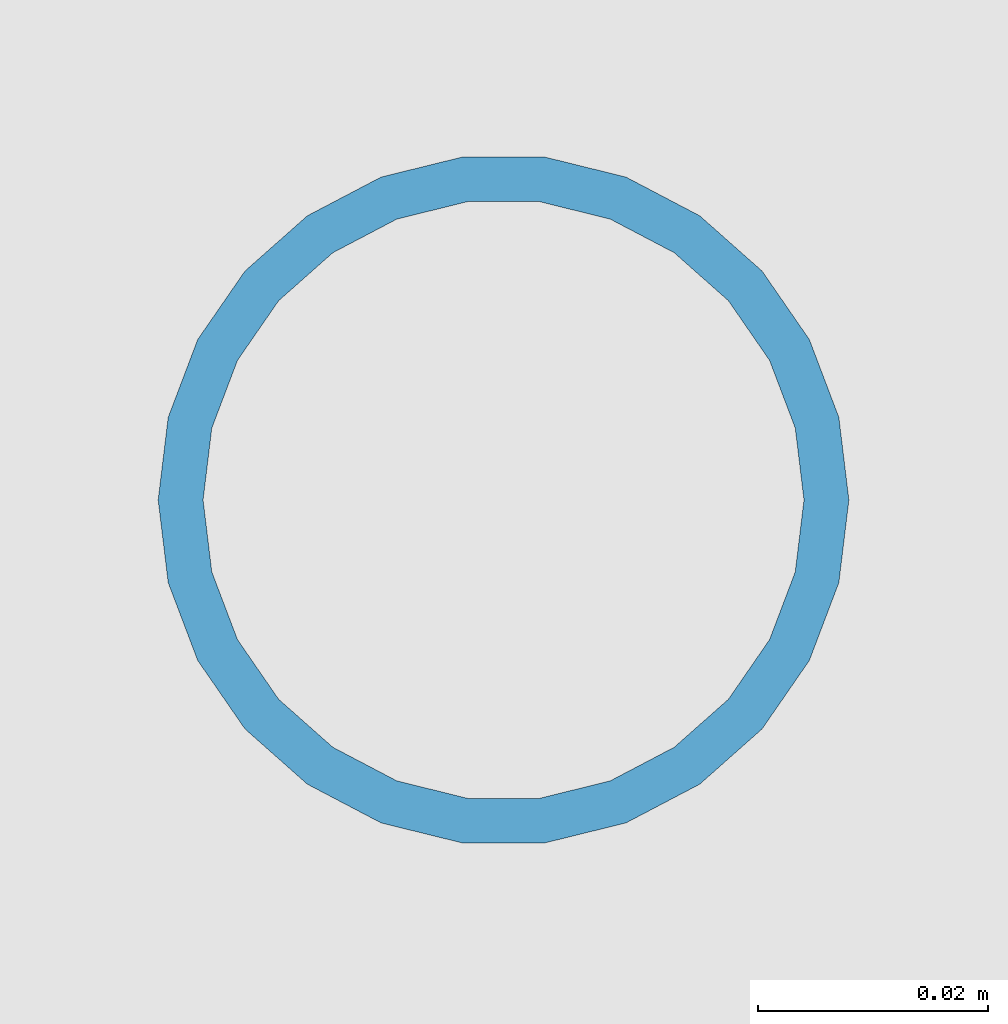
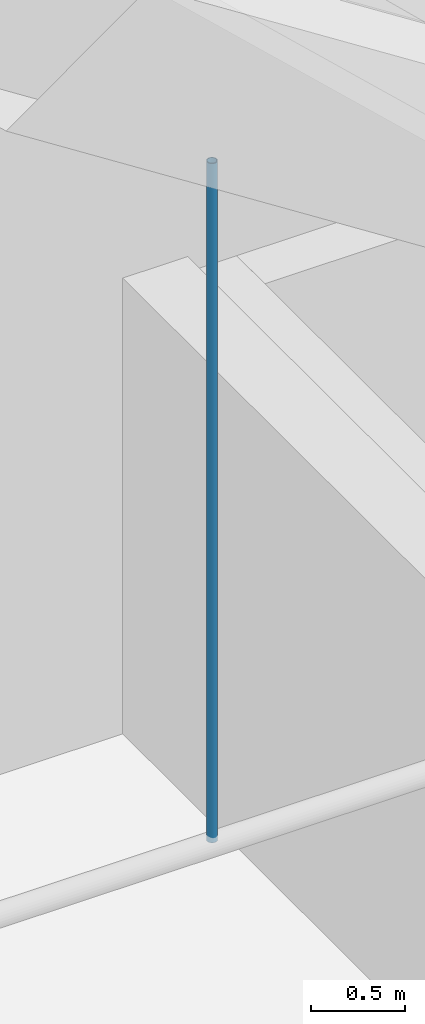
# One storey, part 45 of 94: 1 member.
"""IFC4 building model written with IfcOpenShell, lengths in metres."""

from ifc_helpers import new_model, si_unit, direction, frame, origin, origin_2d, place, context, subcontext, project, spatial, hollow_circle, extrude, material, material_profile, profile_set, type_object, element, save


model = new_model("IFC4")

# Units and contexts
model_context = context("Model", 3, precision=1e-05, world=origin(), true_north=direction((0.0, 1.0)))
body_context = subcontext(model_context, "Body", "Model", "MODEL_VIEW")
ifc_project = project(units=[si_unit("LENGTHUNIT", "METRE"), si_unit("AREAUNIT", "SQUARE_METRE"), si_unit("VOLUMEUNIT", "CUBIC_METRE"), si_unit("PLANEANGLEUNIT", "RADIAN"), si_unit("MASSUNIT", "GRAM", prefix="KILO")], contexts=[model_context])

# Site, building, storey
site_placement = place(None, origin())
site = spatial("IfcSite", under=ifc_project, at=site_placement, CompositionType="ELEMENT")
building_placement = place(site_placement, origin())
building = spatial("IfcBuilding", under=site, at=building_placement, Name="Lunette Opera House", CompositionType="ELEMENT")
storey_placement = place(building_placement, frame((0.0, 0.0, 22.5)))
storey = spatial("IfcBuildingStorey", under=building, at=storey_placement, Name="L04", CompositionType="ELEMENT", Elevation=22.5)

# Member
ifc_material = material(Name="Steel S355", Category="steel")
ifc_material_profile = material_profile(ifc_material, hollow_circle(Radius=0.030029296875, WallThickness=0.00390625, at=origin_2d()), Name="CHS 60.3X4")
ifc_profile_set = profile_set([ifc_material_profile], Name="Steel S355")
member_type = type_object("IfcMemberType", Name="CHS 60.3X4", PredefinedType="POST", material=ifc_profile_set)
member_placement = place(storey_placement, frame((109.0, 90.785888671875, 2.72998046875), z_axis=(0.0, 0.0, 1.0), x_axis=(1.0, 0.0, 0.0)))
element("IfcMember", 1, at=member_placement, inside=storey, type_object=member_type, Name="mem-AU-L04-HG7-109", PredefinedType="POST", context=body_context, shape_type="SweptSolid", body=[
    extrude(hollow_circle(Radius=0.030029296875, WallThickness=0.00390625, at=origin_2d()), origin(), (0.0, 0.0, 1.0), 4.4111328125),
])

save(model, "model.ifc")
